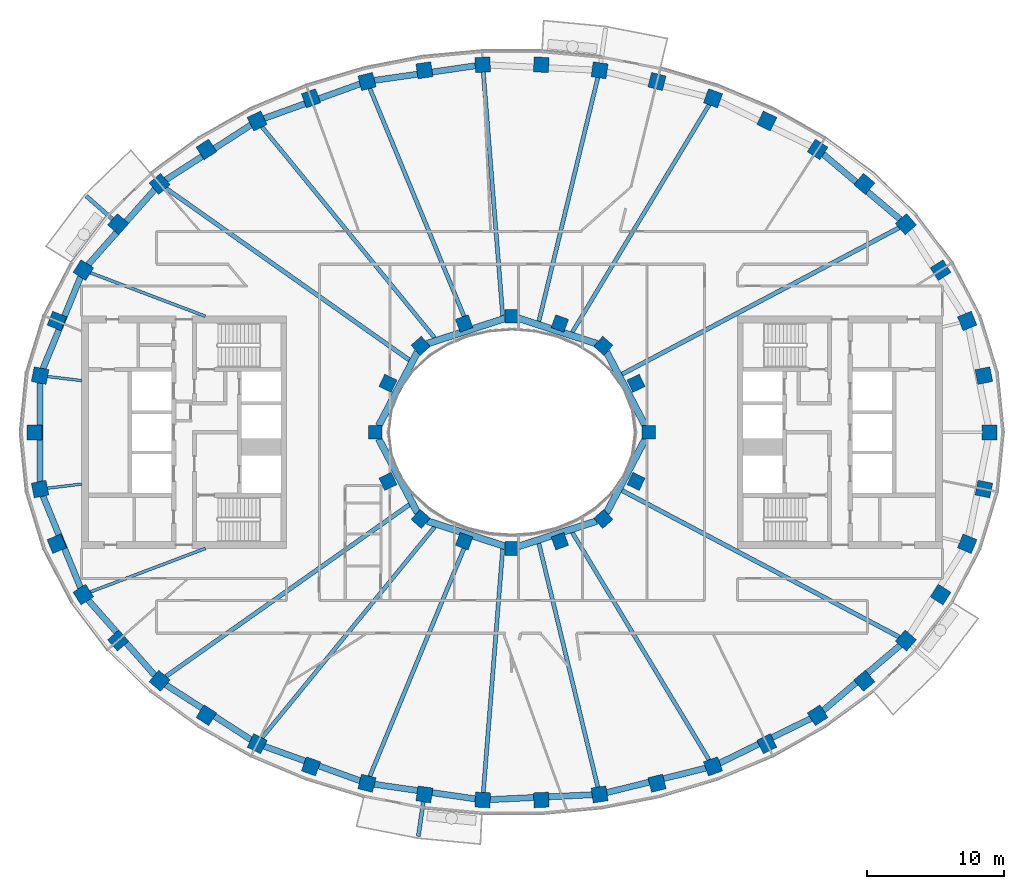
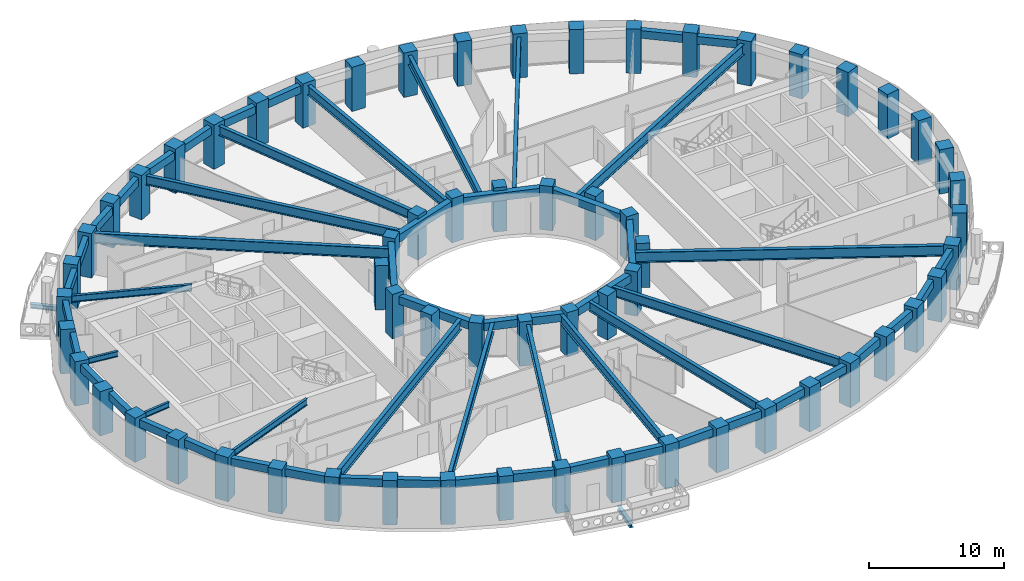
# One storey, part 1 of 16: 62 columns, 44 beams.
"""IFC4 building model written with IfcOpenShell, lengths in metres."""

from ifc_helpers import new_model, si_unit, direction, frame, origin, origin_2d, place, context, subcontext, project, spatial, rectangle, i_section, extrude, material, material_profile, profile_set, type_object, element, save


model = new_model("IFC4")

# Units and contexts
model_context = context("Model", 3, precision=1e-05, world=origin(), true_north=direction((0.0, 1.0)))
body_context = subcontext(model_context, "Body", "Model", "MODEL_VIEW")
ifc_project = project(units=[si_unit("LENGTHUNIT", "METRE"), si_unit("AREAUNIT", "SQUARE_METRE"), si_unit("VOLUMEUNIT", "CUBIC_METRE"), si_unit("PLANEANGLEUNIT", "RADIAN"), si_unit("MASSUNIT", "GRAM", prefix="KILO")], contexts=[model_context])

# Site, building, storey
site_placement = place(None, origin())
site = spatial("IfcSite", under=ifc_project, at=site_placement, CompositionType="ELEMENT")
building_placement = place(site_placement, origin())
building = spatial("IfcBuilding", under=site, at=building_placement, Name="Noorbagh Ring Tower", CompositionType="ELEMENT")
storey_placement = place(building_placement, frame((0.0, 0.0, 249.5)))
storey = spatial("IfcBuildingStorey", under=building, at=storey_placement, Name="L52", CompositionType="ELEMENT", Elevation=249.5)

# Columns
ifc_material_1 = material(Name="Concrete C60/75", Category="concrete")
ifc_material_profile_1 = material_profile(ifc_material_1, rectangle(XDim=1.10009765625, YDim=1.10009765625, at=origin_2d()), Name="RC1100x1100")
ifc_profile_set_1 = profile_set([ifc_material_profile_1], Name="Concrete C60/75")
column_type_1 = type_object("IfcColumnType", Name="STR-COL-RC1100x1100-C60-75", PredefinedType="COLUMN", material=ifc_profile_set_1)
for number, where, z_axis, x_axis, name in (
    (1, (34.944580078125, 0.0, 0.0), (0.0, 0.0, 1.0), (0.0, 1.0, 0.0), "L52/col/R1-01"),
    (2, (34.52685546875, 4.150634765625, 0.0), (0.0, 0.0, 1.0), (-0.19723040178, 0.9803571638, 0.0), "L52/col/R1-02"),
    (3, (33.30517578125, 8.1494140625, 0.0), (0.0, 0.0, 1.0), (-0.378989499959, 0.925400971969, 0.0), "L52/col/R1-03"),
    (4, (31.364990234375, 11.87109375, 0.0), (0.0, 0.0, 1.0), (-0.535190403059, 0.844731455833, 0.0), "L52/col/R1-04"),
    (5, (28.81884765625, 15.23046875, 0.0), (0.0, 0.0, 1.0), (-0.662635642662, 0.748941923699, 0.0), "L52/col/R1-05"),
    (6, (25.78271484375, 18.180419921875, 0.0), (0.0, 0.0, 1.0), (-0.763035199656, 0.646356932419, 0.0), "L52/col/R1-06"),
    (7, (22.362060546875, 20.699951171875, 0.0), (0.0, 0.0, 1.0), (-0.840247639643, 0.542202825586, 0.0), "L52/col/R1-07"),
    (8, (18.646240234375, 22.785400390625, 0.0), (0.0, 0.0, 1.0), (-0.898399080868, 0.439180021741, 0.0), "L52/col/R1-08"),
    (9, (14.70947265625, 24.44091796875, 0.0), (0.0, 0.0, 1.0), (-0.941024726094, 0.338337797003, 0.0), "L52/col/R1-09"),
    (10, (10.61328125, 25.673583984375, 0.0), (0.0, 0.0, 1.0), (-0.970829360981, 0.239771457553, 0.0), "L52/col/R1-10"),
    (11, (6.4091796875, 26.49072265625, 0.0), (0.0, 0.0, 1.0), (-0.989713114048, 0.143066249975, 0.0), "L52/col/R1-11"),
    (12, (2.14306640625, 26.89794921875, 0.0), (0.0, 0.0, 1.0), (-0.998868731212, 0.047552684538, 0.0), "L52/col/R1-12"),
    (13, (-2.14306640625, 26.89794921875, 0.0), (0.0, 0.0, 1.0), (-0.998868731212, -0.047552684538, 0.0), "L52/col/R1-13"),
    (14, (-6.4091796875, 26.49072265625, 0.0), (0.0, 0.0, 1.0), (-0.989713114048, -0.143066249975, 0.0), "L52/col/R1-14"),
    (15, (-10.61328125, 25.673583984375, 0.0), (0.0, 0.0, 1.0), (-0.970829360981, -0.239771457553, 0.0), "L52/col/R1-15"),
    (16, (-14.70947265625, 24.44091796875, 0.0), (0.0, 0.0, 1.0), (-0.941024726094, -0.338337797003, 0.0), "L52/col/R1-16"),
    (17, (-18.646240234375, 22.785400390625, 0.0), (0.0, 0.0, 1.0), (-0.898399080868, -0.439180021741, 0.0), "L52/col/R1-17"),
    (18, (-22.362060546875, 20.699951171875, 0.0), (0.0, 0.0, 1.0), (-0.840247639643, -0.542202825586, 0.0), "L52/col/R1-18"),
    (19, (-25.78271484375, 18.180419921875, 0.0), (0.0, 0.0, 1.0), (-0.763035199656, -0.646356932419, 0.0), "L52/col/R1-19"),
    (20, (-28.81884765625, 15.23046875, 0.0), (0.0, 0.0, 1.0), (-0.662635642662, -0.748941923699, 0.0), "L52/col/R1-20"),
    (21, (-31.364990234375, 11.87109375, 0.0), (0.0, 0.0, 1.0), (-0.535190403059, -0.844731455833, 0.0), "L52/col/R1-21"),
    (22, (-33.30517578125, 8.1494140625, 0.0), (0.0, 0.0, 1.0), (-0.378989499959, -0.925400971969, 0.0), "L52/col/R1-22"),
    (23, (-34.52685546875, 4.150634765625, 0.0), (0.0, 0.0, 1.0), (-0.19723040178, -0.9803571638, 0.0), "L52/col/R1-23"),
    (24, (-34.944580078125, 0.0, 0.0), (0.0, 0.0, 1.0), (0.0, -1.0, 0.0), "L52/col/R1-24"),
    (25, (-34.52685546875, -4.150634765625, 0.0), (0.0, 0.0, 1.0), (0.19723040178, -0.9803571638, 0.0), "L52/col/R1-25"),
    (26, (-33.30517578125, -8.1494140625, 0.0), (0.0, 0.0, 1.0), (0.378989499959, -0.925400971969, 0.0), "L52/col/R1-26"),
    (27, (-31.364990234375, -11.87109375, 0.0), (0.0, 0.0, 1.0), (0.535190403059, -0.844731455833, 0.0), "L52/col/R1-27"),
    (28, (-28.81884765625, -15.23046875, 0.0), (0.0, 0.0, 1.0), (0.662635642662, -0.748941923699, 0.0), "L52/col/R1-28"),
    (29, (-25.78271484375, -18.180419921875, 0.0), (0.0, 0.0, 1.0), (0.763035199656, -0.646356932419, 0.0), "L52/col/R1-29"),
    (30, (-22.362060546875, -20.699951171875, 0.0), (0.0, 0.0, 1.0), (0.840247639643, -0.542202825586, 0.0), "L52/col/R1-30"),
    (31, (-18.646240234375, -22.785400390625, 0.0), (0.0, 0.0, 1.0), (0.898399080868, -0.439180021741, 0.0), "L52/col/R1-31"),
    (32, (-14.70947265625, -24.44091796875, 0.0), (0.0, 0.0, 1.0), (0.941024726094, -0.338337797003, 0.0), "L52/col/R1-32"),
    (33, (-10.61328125, -25.673583984375, 0.0), (0.0, 0.0, 1.0), (0.970829360981, -0.239771457553, 0.0), "L52/col/R1-33"),
    (34, (-6.4091796875, -26.49072265625, 0.0), (0.0, 0.0, 1.0), (0.989713114048, -0.143066249975, 0.0), "L52/col/R1-34"),
    (35, (-2.14306640625, -26.89794921875, 0.0), (0.0, 0.0, 1.0), (0.998868731212, -0.047552684538, 0.0), "L52/col/R1-35"),
    (36, (2.14306640625, -26.89794921875, 0.0), (0.0, 0.0, 1.0), (0.998868731212, 0.047552684538, 0.0), "L52/col/R1-36"),
    (37, (6.4091796875, -26.49072265625, 0.0), (0.0, 0.0, 1.0), (0.989713114048, 0.143066249975, 0.0), "L52/col/R1-37"),
    (38, (10.61328125, -25.673583984375, 0.0), (0.0, 0.0, 1.0), (0.970829360981, 0.239771457553, 0.0), "L52/col/R1-38"),
    (39, (14.70947265625, -24.44091796875, 0.0), (0.0, 0.0, 1.0), (0.941024726094, 0.338337797003, 0.0), "L52/col/R1-39"),
    (40, (18.646240234375, -22.785400390625, 0.0), (0.0, 0.0, 1.0), (0.898399080868, 0.439180021741, 0.0), "L52/col/R1-40"),
    (41, (22.362060546875, -20.699951171875, 0.0), (0.0, 0.0, 1.0), (0.840247639643, 0.542202825586, 0.0), "L52/col/R1-41"),
    (42, (25.78271484375, -18.180419921875, 0.0), (0.0, 0.0, 1.0), (0.763035199656, 0.646356932419, 0.0), "L52/col/R1-42"),
    (43, (28.81884765625, -15.23046875, 0.0), (0.0, 0.0, 1.0), (0.662635642662, 0.748941923699, 0.0), "L52/col/R1-43"),
    (44, (31.364990234375, -11.87109375, 0.0), (0.0, 0.0, 1.0), (0.535190403059, 0.844731455833, 0.0), "L52/col/R1-44"),
    (45, (33.30517578125, -8.1494140625, 0.0), (0.0, 0.0, 1.0), (0.378989499959, 0.925400971969, 0.0), "L52/col/R1-45"),
    (46, (34.52685546875, -4.150634765625, 0.0), (0.0, 0.0, 1.0), (0.19723040178, 0.9803571638, 0.0), "L52/col/R1-46"),
):
    element("IfcColumn", number, at=place(storey_placement, frame(where, z_axis=z_axis, x_axis=x_axis)), inside=storey, type_object=column_type_1, Name=name, PredefinedType="COLUMN", context=body_context, shape_type="SweptSolid", body=[
        extrude(rectangle(XDim=1.10009765625, YDim=1.10009765625, at=origin_2d()), origin(), (0.0, 0.0, 1.0), 4.0),
    ])
ifc_material_2 = material(Name="Concrete C60/75", Category="concrete")
ifc_material_profile_2 = material_profile(ifc_material_2, rectangle(XDim=1.0, YDim=1.0, at=origin_2d()), Name="RC1000x1000")
ifc_profile_set_2 = profile_set([ifc_material_profile_2], Name="Concrete C60/75")
column_type_2 = type_object("IfcColumnType", Name="STR-ICOL-RC1000x1000-C60-75", PredefinedType="COLUMN", material=ifc_profile_set_2)
for number, where, z_axis, x_axis, name in (
    (47, (10.00830078125, 0.0, 0.0), (0.0, 0.0, 1.0), (0.0, 1.0, 0.0), "L52/col/IR2-W01"),
    (48, (9.07568359375, 3.58837890625, 0.0), (0.0, 0.0, 1.0), (-0.428666979171, 0.903462573087, 0.0), "L52/col/IR2-W03"),
    (49, (6.68212890625, 6.333740234375, 0.0), (0.0, 0.0, 1.0), (-0.75102249095, 0.660276622399, 0.0), "L52/col/IR2-W05"),
    (50, (3.5009765625, 7.967041015625, 0.0), (0.0, 0.0, 1.0), (-0.939019578916, 0.343863679984, 0.0), "L52/col/IR2-W07"),
    (51, (0.0, 8.5029296875, 0.0), (0.0, 0.0, 1.0), (-1.0, 0.0, 0.0), "L52/col/IR2-W09"),
    (52, (-3.5009765625, 7.967041015625, 0.0), (0.0, 0.0, 1.0), (-0.939019578916, -0.343863679984, 0.0), "L52/col/IR2-W11"),
    (53, (-6.68212890625, 6.333740234375, 0.0), (0.0, 0.0, 1.0), (-0.75102249095, -0.660276622399, 0.0), "L52/col/IR2-W13"),
    (54, (-9.07568359375, 3.58837890625, 0.0), (0.0, 0.0, 1.0), (-0.428666979171, -0.903462573087, 0.0), "L52/col/IR2-W15"),
    (55, (-10.00830078125, 0.0, 0.0), (0.0, 0.0, 1.0), (0.0, -1.0, 0.0), "L52/col/IR2-W17"),
    (56, (-9.07568359375, -3.58837890625, 0.0), (0.0, 0.0, 1.0), (0.428666979171, -0.903462573087, 0.0), "L52/col/IR2-W19"),
    (57, (-6.68212890625, -6.333740234375, 0.0), (0.0, 0.0, 1.0), (0.75102249095, -0.660276622399, 0.0), "L52/col/IR2-W21"),
    (58, (-3.5009765625, -7.967041015625, 0.0), (0.0, 0.0, 1.0), (0.939019578916, -0.343863679984, 0.0), "L52/col/IR2-W23"),
    (59, (0.0, -8.5029296875, 0.0), (0.0, 0.0, 1.0), (1.0, 0.0, 0.0), "L52/col/IR2-W25"),
    (60, (3.5009765625, -7.967041015625, 0.0), (0.0, 0.0, 1.0), (0.939019578916, 0.343863679984, 0.0), "L52/col/IR2-W27"),
    (61, (6.68212890625, -6.333740234375, 0.0), (0.0, 0.0, 1.0), (0.75102249095, 0.660276622399, 0.0), "L52/col/IR2-W29"),
    (62, (9.07568359375, -3.58837890625, 0.0), (0.0, 0.0, 1.0), (0.428666979171, 0.903462573087, 0.0), "L52/col/IR2-W31"),
):
    element("IfcColumn", number, at=place(storey_placement, frame(where, z_axis=z_axis, x_axis=x_axis)), inside=storey, type_object=column_type_2, Name=name, PredefinedType="COLUMN", context=body_context, shape_type="SweptSolid", body=[
        extrude(rectangle(XDim=1.0, YDim=1.0, at=origin_2d()), origin(), (0.0, 0.0, 1.0), 4.0),
    ])

# Beams
ifc_material_3 = material(Name="Steel S355", Category="steel")
ifc_material_profile_3 = material_profile(ifc_material_3, i_section(OverallWidth=0.300048828125, OverallDepth=0.39990234375, WebThickness=0.013427734375, FlangeThickness=0.02392578125, FilletRadius=0.027099609375, at=origin_2d()), Name="HEB400")
ifc_profile_set_3 = profile_set([ifc_material_profile_3], Name="Steel S355")
beam_type_1 = type_object("IfcBeamType", Name="STR-BALCONY-BRACKET-HEB400", PredefinedType="BEAM", material=ifc_profile_set_3)
beam_1_placement = place(storey_placement, frame((-29.2158203125, 15.58154296875, -0.5), z_axis=(-0.749036305026, 0.662528953144, 0.0), x_axis=(-0.662528953144, -0.749036305026, 0.0)))
element("IfcBeam", 63, at=beam_1_placement, inside=storey, type_object=beam_type_1, Name="Balcony bracket beam BN06", PredefinedType="BEAM", context=body_context, shape_type="SweptSolid", body=[
    extrude(i_section(OverallWidth=0.300048828125, OverallDepth=0.39990234375, WebThickness=0.013427734375, FlangeThickness=0.02392578125, FilletRadius=0.027099609375, at=origin_2d()), origin(), (0.0, 0.0, 1.0), 2.57958984375),
])
beam_2_placement = place(storey_placement, frame((-6.485107421875, -27.015380859375, -0.5), z_axis=(-0.143041289678, -0.989716721819, 0.0), x_axis=(0.989716721819, -0.143041289678, 0.0)))
element("IfcBeam", 64, at=beam_2_placement, inside=storey, type_object=beam_type_1, Name="Balcony bracket beam BS03", PredefinedType="BEAM", context=body_context, shape_type="SweptSolid", body=[
    extrude(i_section(OverallWidth=0.300048828125, OverallDepth=0.39990234375, WebThickness=0.013427734375, FlangeThickness=0.02392578125, FilletRadius=0.027099609375, at=origin_2d()), origin(), (0.0, 0.0, 1.0), 2.57373046875),
])
ifc_material_4 = material(Name="Steel S355", Category="steel")
ifc_material_profile_4 = material_profile(ifc_material_4, i_section(OverallWidth=0.199951171875, OverallDepth=0.5, WebThickness=0.01025390625, FlangeThickness=0.01611328125, FilletRadius=0.02099609375, at=origin_2d()), Name="IPE500")
ifc_profile_set_4 = profile_set([ifc_material_profile_4], Name="Steel S355")
beam_type_2 = type_object("IfcBeamType", Name="STR-RAD-IPE500", PredefinedType="BEAM", material=ifc_profile_set_4)
for number, where, z_axis, x_axis, name in (
    (65, (-33.998779296875, 4.087158203125, 3.449951171875), (0.992853137385, -0.119342564013, 0.0), (0.119342564013, 0.992853137385, 0.0), "L52/bm/RD23"),
    (66, (-33.998779296875, -4.087158203125, 3.449951171875), (0.992853137385, 0.119342564013, 0.0), (-0.119342564013, 0.992853137385, 0.0), "L52/bm/RD25"),
):
    element("IfcBeam", number, at=place(storey_placement, frame(where, z_axis=z_axis, x_axis=x_axis)), inside=storey, type_object=beam_type_2, Name=name, PredefinedType="BEAM", context=body_context, shape_type="SweptSolid", body=[
        extrude(i_section(OverallWidth=0.199951171875, OverallDepth=0.5, WebThickness=0.01025390625, FlangeThickness=0.01611328125, FilletRadius=0.02099609375, at=origin_2d()), origin(), (0.0, 0.0, 1.0), 2.53662109375),
    ])
ifc_material_5 = material(Name="Steel S355", Category="steel")
ifc_material_profile_5 = material_profile(ifc_material_5, i_section(OverallWidth=0.219970703125, OverallDepth=0.60009765625, WebThickness=0.011962890625, FlangeThickness=0.01904296875, FilletRadius=0.02392578125, at=origin_2d()), Name="IPE600")
ifc_profile_set_5 = profile_set([ifc_material_profile_5], Name="Steel S355")
beam_type_3 = type_object("IfcBeamType", Name="STR-RAD-IPE600", PredefinedType="BEAM", material=ifc_profile_set_5)
for number, where, z_axis, x_axis, name in (
    (67, (-30.858642578125, 11.67919921875, 3.39990234375), (0.935259323835, -0.353963270948, 0.0), (0.353963270948, 0.935259323835, 0.0), "L52/bm/RD21"),
    (68, (-30.858642578125, -11.67919921875, 3.39990234375), (0.935259323835, 0.353963270948, 0.0), (-0.353963270948, 0.935259323835, 0.0), "L52/bm/RD27"),
):
    element("IfcBeam", number, at=place(storey_placement, frame(where, z_axis=z_axis, x_axis=x_axis)), inside=storey, type_object=beam_type_3, Name=name, PredefinedType="BEAM", context=body_context, shape_type="SweptSolid", body=[
        extrude(i_section(OverallWidth=0.219970703125, OverallDepth=0.60009765625, WebThickness=0.011962890625, FlangeThickness=0.01904296875, FilletRadius=0.02392578125, at=origin_2d()), origin(), (0.0, 0.0, 1.0), 9.001708984375),
    ])
ifc_material_6 = material(Name="Steel S355", Category="steel")
ifc_material_profile_6 = material_profile(ifc_material_6, i_section(OverallWidth=0.300048828125, OverallDepth=0.85009765625, WebThickness=0.013916015625, FlangeThickness=0.028076171875, at=origin_2d()), Name="PG850x300x14x28")
ifc_profile_set_6 = profile_set([ifc_material_profile_6], Name="Steel S355")
beam_type_4 = type_object("IfcBeamType", Name="STR-RAD-PG850x300x14x28", PredefinedType="BEAM", material=ifc_profile_set_6)
beam_3_placement = place(storey_placement, frame((14.4306640625, 23.9775390625, 3.27490234375), z_axis=(-0.515652889643, -0.856797582514, 0.0), x_axis=(0.856797582514, -0.515652889643, 0.0)))
element("IfcBeam", 69, at=beam_3_placement, inside=storey, type_object=beam_type_4, Name="L52/bm/RD09", PredefinedType="BEAM", context=body_context, shape_type="SweptSolid", body=[
    extrude(i_section(OverallWidth=0.300048828125, OverallDepth=0.85009765625, WebThickness=0.013916015625, FlangeThickness=0.028076171875, at=origin_2d()), origin(), (0.0, 0.0, 1.0), 19.4462890625),
])
beam_4_placement = place(storey_placement, frame((6.283935546875, 25.973388671875, 3.27490234375), z_axis=(-0.235149899609, -0.971959116791, 0.0), x_axis=(0.971959116791, -0.235149899609, 0.0)))
element("IfcBeam", 70, at=beam_4_placement, inside=storey, type_object=beam_type_4, Name="L52/bm/RD11", PredefinedType="BEAM", context=body_context, shape_type="SweptSolid", body=[
    extrude(i_section(OverallWidth=0.300048828125, OverallDepth=0.85009765625, WebThickness=0.013916015625, FlangeThickness=0.028076171875, at=origin_2d()), origin(), (0.0, 0.0, 1.0), 18.380859375),
])
beam_5_placement = place(storey_placement, frame((-2.10107421875, 26.369384765625, 3.27490234375), z_axis=(0.079428656786, -0.996840553189, 0.0), x_axis=(0.996840553189, 0.079428656786, 0.0)))
element("IfcBeam", 71, at=beam_5_placement, inside=storey, type_object=beam_type_4, Name="L52/bm/RD13", PredefinedType="BEAM", context=body_context, shape_type="SweptSolid", body=[
    extrude(i_section(OverallWidth=0.300048828125, OverallDepth=0.85009765625, WebThickness=0.013916015625, FlangeThickness=0.028076171875, at=origin_2d()), origin(), (0.0, 0.0, 1.0), 17.9013671875),
])
beam_6_placement = place(storey_placement, frame((-10.408447265625, 25.177978515625, 3.27490234375), z_axis=(0.382042222752, -0.924144869614, 0.0), x_axis=(0.924144869614, 0.382042222752, 0.0)))
element("IfcBeam", 72, at=beam_6_placement, inside=storey, type_object=beam_type_4, Name="L52/bm/RD15", PredefinedType="BEAM", context=body_context, shape_type="SweptSolid", body=[
    extrude(i_section(OverallWidth=0.300048828125, OverallDepth=0.85009765625, WebThickness=0.013916015625, FlangeThickness=0.028076171875, at=origin_2d()), origin(), (0.0, 0.0, 1.0), 18.901611328125),
])
for number, where, z_axis, x_axis, name in (
    (73, (-18.301025390625, 22.363525390625, 3.27490234375), (0.633313689008, -0.773895194012, 0.0), (0.773895194012, 0.633313689008, 0.0), "L52/bm/RD17"),
    (74, (-18.301025390625, -22.363525390625, 3.27490234375), (0.633313689008, 0.773895194012, 0.0), (-0.773895194012, 0.633313689008, 0.0), "L52/bm/RD31"),
):
    element("IfcBeam", number, at=place(storey_placement, frame(where, z_axis=z_axis, x_axis=x_axis)), inside=storey, type_object=beam_type_4, Name=name, PredefinedType="BEAM", context=body_context, shape_type="SweptSolid", body=[
        extrude(i_section(OverallWidth=0.300048828125, OverallDepth=0.85009765625, WebThickness=0.013916015625, FlangeThickness=0.028076171875, at=origin_2d()), origin(), (0.0, 0.0, 1.0), 19.968017578125),
    ])
beam_7_placement = place(storey_placement, frame((-10.408447265625, -25.177978515625, 3.27490234375), z_axis=(0.382042222752, 0.924144869614, 0.0), x_axis=(-0.924144869614, 0.382042222752, 0.0)))
element("IfcBeam", 75, at=beam_7_placement, inside=storey, type_object=beam_type_4, Name="L52/bm/RD33", PredefinedType="BEAM", context=body_context, shape_type="SweptSolid", body=[
    extrude(i_section(OverallWidth=0.300048828125, OverallDepth=0.85009765625, WebThickness=0.013916015625, FlangeThickness=0.028076171875, at=origin_2d()), origin(), (0.0, 0.0, 1.0), 18.901611328125),
])
beam_8_placement = place(storey_placement, frame((-2.10107421875, -26.369384765625, 3.27490234375), z_axis=(0.079428656786, 0.996840553189, 0.0), x_axis=(-0.996840553189, 0.079428656786, 0.0)))
element("IfcBeam", 76, at=beam_8_placement, inside=storey, type_object=beam_type_4, Name="L52/bm/RD35", PredefinedType="BEAM", context=body_context, shape_type="SweptSolid", body=[
    extrude(i_section(OverallWidth=0.300048828125, OverallDepth=0.85009765625, WebThickness=0.013916015625, FlangeThickness=0.028076171875, at=origin_2d()), origin(), (0.0, 0.0, 1.0), 17.9013671875),
])
beam_9_placement = place(storey_placement, frame((6.283935546875, -25.973388671875, 3.27490234375), z_axis=(-0.235149899609, 0.971959116791, 0.0), x_axis=(-0.971959116791, -0.235149899609, 0.0)))
element("IfcBeam", 77, at=beam_9_placement, inside=storey, type_object=beam_type_4, Name="L52/bm/RD37", PredefinedType="BEAM", context=body_context, shape_type="SweptSolid", body=[
    extrude(i_section(OverallWidth=0.300048828125, OverallDepth=0.85009765625, WebThickness=0.013916015625, FlangeThickness=0.028076171875, at=origin_2d()), origin(), (0.0, 0.0, 1.0), 18.380859375),
])
beam_10_placement = place(storey_placement, frame((14.4306640625, -23.9775390625, 3.27490234375), z_axis=(-0.515652889643, 0.856797582514, 0.0), x_axis=(-0.856797582514, -0.515652889643, 0.0)))
element("IfcBeam", 78, at=beam_10_placement, inside=storey, type_object=beam_type_4, Name="L52/bm/RD39", PredefinedType="BEAM", context=body_context, shape_type="SweptSolid", body=[
    extrude(i_section(OverallWidth=0.300048828125, OverallDepth=0.85009765625, WebThickness=0.013916015625, FlangeThickness=0.028076171875, at=origin_2d()), origin(), (0.0, 0.0, 1.0), 19.4462890625),
])
ifc_material_7 = material(Name="Steel S355", Category="steel")
ifc_material_profile_7 = material_profile(ifc_material_7, i_section(OverallWidth=0.320068359375, OverallDepth=0.949951171875, WebThickness=0.01611328125, FlangeThickness=0.030029296875, at=origin_2d()), Name="PG950x320x16x30")
ifc_profile_set_7 = profile_set([ifc_material_profile_7], Name="Steel S355")
beam_type_5 = type_object("IfcBeamType", Name="STR-RAD-PG950x320x16x30", PredefinedType="BEAM", material=ifc_profile_set_7)
beam_11_placement = place(storey_placement, frame((28.336181640625, 14.975341796875, 3.22509765625), z_axis=(-0.884128075717, -0.467244631567, 0.0), x_axis=(0.467244631567, -0.884128075717, 0.0)))
element("IfcBeam", 79, at=beam_11_placement, inside=storey, type_object=beam_type_5, Name="L52/bm/RD05", PredefinedType="BEAM", context=body_context, shape_type="SweptSolid", body=[
    extrude(i_section(OverallWidth=0.320068359375, OverallDepth=0.949951171875, WebThickness=0.01611328125, FlangeThickness=0.030029296875, at=origin_2d()), origin(), (0.0, 0.0, 1.0), 22.959228515625),
])
for number, where, z_axis, x_axis, name in (
    (80, (-25.334716796875, 17.864501953125, 3.22509765625), (0.81725475763, -0.576276549176, 0.0), (0.576276549176, 0.81725475763, 0.0), "L52/bm/RD19"),
    (81, (-25.334716796875, -17.864501953125, 3.22509765625), (0.81725475763, 0.576276549176, 0.0), (-0.576276549176, 0.81725475763, 0.0), "L52/bm/RD29"),
):
    element("IfcBeam", number, at=place(storey_placement, frame(where, z_axis=z_axis, x_axis=x_axis)), inside=storey, type_object=beam_type_5, Name=name, PredefinedType="BEAM", context=body_context, shape_type="SweptSolid", body=[
        extrude(i_section(OverallWidth=0.320068359375, OverallDepth=0.949951171875, WebThickness=0.01611328125, FlangeThickness=0.030029296875, at=origin_2d()), origin(), (0.0, 0.0, 1.0), 21.830810546875),
    ])
beam_12_placement = place(storey_placement, frame((28.336181640625, -14.975341796875, 3.22509765625), z_axis=(-0.884128075717, 0.467244631567, 0.0), x_axis=(-0.467244631567, -0.884128075717, 0.0)))
element("IfcBeam", 82, at=beam_12_placement, inside=storey, type_object=beam_type_5, Name="L52/bm/RD43", PredefinedType="BEAM", context=body_context, shape_type="SweptSolid", body=[
    extrude(i_section(OverallWidth=0.320068359375, OverallDepth=0.949951171875, WebThickness=0.01611328125, FlangeThickness=0.030029296875, at=origin_2d()), origin(), (0.0, 0.0, 1.0), 22.959228515625),
])
ifc_material_8 = material(Name="Concrete C40/50", Category="concrete")
ifc_material_profile_8 = material_profile(ifc_material_8, rectangle(XDim=0.5, YDim=0.699951171875, at=origin_2d()), Name="RC500x700")
ifc_profile_set_8 = profile_set([ifc_material_profile_8], Name="Concrete C40/50")
beam_type_6 = type_object("IfcBeamType", Name="STR-RB-RC500x700-C40-50", PredefinedType="BEAM", material=ifc_profile_set_8)
beam_13_placement = place(storey_placement, frame((9.755126953125, 0.482177734375, 3.35009765625), z_axis=(-0.464928900722, 0.885348020427, 0.0), x_axis=(-0.885348020427, -0.464928900722, 0.0)))
element("IfcBeam", 83, at=beam_13_placement, inside=storey, type_object=beam_type_6, Name="L52/bm/RG01", PredefinedType="BEAM", context=body_context, shape_type="SweptSolid", body=[
    extrude(rectangle(XDim=0.5, YDim=0.699951171875, at=origin_2d()), origin(), (0.0, 0.0, 1.0), 6.093994140625),
])
for number, where, z_axis, x_axis, name in (
    (84, (6.183349609375, 6.495849609375, 3.35009765625), (-0.951154000484, 0.30871680771, 0.0), (-0.30871680771, -0.951154000484, 0.0), "L52/bm/RG03"),
    (85, (-0.48095703125, 8.3466796875, 3.35009765625), (-0.951154000484, -0.30871680771, 0.0), (0.30871680771, -0.951154000484, 0.0), "L52/bm/RG05"),
):
    element("IfcBeam", number, at=place(storey_placement, frame(where, z_axis=z_axis, x_axis=x_axis)), inside=storey, type_object=beam_type_6, Name=name, PredefinedType="BEAM", context=body_context, shape_type="SweptSolid", body=[
        extrude(rectangle(XDim=0.5, YDim=0.699951171875, at=origin_2d()), origin(), (0.0, 0.0, 1.0), 5.9951171875),
    ])
for number, where, z_axis, x_axis, name in (
    (86, (-6.921875, 5.87744140625, 3.35009765625), (-0.464928900722, -0.885348020427, 0.0), (0.885348020427, -0.464928900722, 0.0), "L52/bm/RG07"),
    (87, (-9.755126953125, -0.482177734375, 3.35009765625), (0.464928900722, -0.885348020427, 0.0), (0.885348020427, 0.464928900722, 0.0), "L52/bm/RG09"),
):
    element("IfcBeam", number, at=place(storey_placement, frame(where, z_axis=z_axis, x_axis=x_axis)), inside=storey, type_object=beam_type_6, Name=name, PredefinedType="BEAM", context=body_context, shape_type="SweptSolid", body=[
        extrude(rectangle(XDim=0.5, YDim=0.699951171875, at=origin_2d()), origin(), (0.0, 0.0, 1.0), 6.093994140625),
    ])
for number, where, z_axis, x_axis, name in (
    (88, (-6.183349609375, -6.495849609375, 3.35009765625), (0.951154000484, -0.30871680771, 0.0), (0.30871680771, 0.951154000484, 0.0), "L52/bm/RG11"),
    (89, (0.48095703125, -8.3466796875, 3.35009765625), (0.951154000484, 0.30871680771, 0.0), (-0.30871680771, 0.951154000484, 0.0), "L52/bm/RG13"),
):
    element("IfcBeam", number, at=place(storey_placement, frame(where, z_axis=z_axis, x_axis=x_axis)), inside=storey, type_object=beam_type_6, Name=name, PredefinedType="BEAM", context=body_context, shape_type="SweptSolid", body=[
        extrude(rectangle(XDim=0.5, YDim=0.699951171875, at=origin_2d()), origin(), (0.0, 0.0, 1.0), 5.9951171875),
    ])
beam_14_placement = place(storey_placement, frame((6.921875, -5.87744140625, 3.35009765625), z_axis=(0.464928900722, 0.885348020427, 0.0), x_axis=(-0.885348020427, 0.464928900722, 0.0)))
element("IfcBeam", 90, at=beam_14_placement, inside=storey, type_object=beam_type_6, Name="L52/bm/RG15", PredefinedType="BEAM", context=body_context, shape_type="SweptSolid", body=[
    extrude(rectangle(XDim=0.5, YDim=0.699951171875, at=origin_2d()), origin(), (0.0, 0.0, 1.0), 6.093994140625),
])
ifc_material_9 = material(Name="Concrete C40/50", Category="concrete")
ifc_material_profile_9 = material_profile(ifc_material_9, rectangle(XDim=0.449951171875, YDim=0.699951171875, at=origin_2d()), Name="RC450x700")
ifc_profile_set_9 = profile_set([ifc_material_profile_9], Name="Concrete C40/50")
beam_type_7 = type_object("IfcBeamType", Name="STR-SB-RC450x700-C40-50", PredefinedType="BEAM", material=ifc_profile_set_9)
beam_15_placement = place(storey_placement, frame((28.41015625, 15.57666015625, 3.35009765625), z_axis=(-0.763041647575, 0.646349320465, 0.0), x_axis=(-0.646349320465, -0.763041647575, 0.0)))
element("IfcBeam", 91, at=beam_15_placement, inside=storey, type_object=beam_type_7, Name="L52/bm/SP05", PredefinedType="BEAM", context=body_context, shape_type="SweptSolid", body=[
    extrude(rectangle(XDim=0.449951171875, YDim=0.699951171875, at=origin_2d()), origin(), (0.0, 0.0, 1.0), 7.3916015625),
])
beam_16_placement = place(storey_placement, frame((-2.670166015625, 26.82177734375, 3.35009765625), z_axis=(-0.989712214626, -0.143072471915, 0.0), x_axis=(0.143072471915, -0.989712214626, 0.0)))
element("IfcBeam", 92, at=beam_16_placement, inside=storey, type_object=beam_type_7, Name="L52/bm/SP13", PredefinedType="BEAM", context=body_context, shape_type="SweptSolid", body=[
    extrude(rectangle(XDim=0.449951171875, YDim=0.699951171875, at=origin_2d()), origin(), (0.0, 0.0, 1.0), 7.492919921875),
])
beam_17_placement = place(storey_placement, frame((-11.11474609375, 25.493408203125, 3.35009765625), z_axis=(-0.941021072028, -0.338347959947, 0.0), x_axis=(0.338347959947, -0.941021072028, 0.0)))
element("IfcBeam", 93, at=beam_17_placement, inside=storey, type_object=beam_type_7, Name="L52/bm/SP15", PredefinedType="BEAM", context=body_context, shape_type="SweptSolid", body=[
    extrude(rectangle(XDim=0.449951171875, YDim=0.699951171875, at=origin_2d()), origin(), (0.0, 0.0, 1.0), 7.470458984375),
])
beam_18_placement = place(storey_placement, frame((-19.094970703125, 22.495849609375, 3.35009765625), z_axis=(-0.840248806946, -0.542201016622, 0.0), x_axis=(0.542201016622, -0.840248806946, 0.0)))
element("IfcBeam", 94, at=beam_18_placement, inside=storey, type_object=beam_type_7, Name="L52/bm/SP17", PredefinedType="BEAM", context=body_context, shape_type="SweptSolid", body=[
    extrude(rectangle(XDim=0.449951171875, YDim=0.699951171875, at=origin_2d()), origin(), (0.0, 0.0, 1.0), 7.424560546875),
])
beam_19_placement = place(storey_placement, frame((-26.1376953125, 17.779052734375, 3.35009765625), z_axis=(-0.662632637862, -0.748944582222, 0.0), x_axis=(0.748944582222, -0.662632637862, 0.0)))
element("IfcBeam", 95, at=beam_19_placement, inside=storey, type_object=beam_type_7, Name="L52/bm/SP19", PredefinedType="BEAM", context=body_context, shape_type="SweptSolid", body=[
    extrude(rectangle(XDim=0.449951171875, YDim=0.699951171875, at=origin_2d()), origin(), (0.0, 0.0, 1.0), 7.3515625),
])
beam_20_placement = place(storey_placement, frame((-31.569091796875, 11.37255859375, 3.35009765625), z_axis=(-0.378980930271, -0.92540448156, 0.0), x_axis=(0.92540448156, -0.378980930271, 0.0)))
element("IfcBeam", 96, at=beam_20_placement, inside=storey, type_object=beam_type_7, Name="L52/bm/SP21", PredefinedType="BEAM", context=body_context, shape_type="SweptSolid", body=[
    extrude(rectangle(XDim=0.449951171875, YDim=0.699951171875, at=origin_2d()), origin(), (0.0, 0.0, 1.0), 7.263916015625),
])
beam_21_placement = place(storey_placement, frame((-34.52685546875, 3.609619140625, 3.35009765625), z_axis=(0.0, -1.0, 0.0), x_axis=(1.0, 0.0, 0.0)))
element("IfcBeam", 97, at=beam_21_placement, inside=storey, type_object=beam_type_7, Name="L52/bm/SP23", PredefinedType="BEAM", context=body_context, shape_type="SweptSolid", body=[
    extrude(rectangle(XDim=0.449951171875, YDim=0.699951171875, at=origin_2d()), origin(), (0.0, 0.0, 1.0), 7.21923828125),
])
beam_22_placement = place(storey_placement, frame((-34.322021484375, -4.650390625, 3.35009765625), z_axis=(0.378980930271, -0.92540448156, 0.0), x_axis=(0.92540448156, 0.378980930271, 0.0)))
element("IfcBeam", 98, at=beam_22_placement, inside=storey, type_object=beam_type_7, Name="L52/bm/SP25", PredefinedType="BEAM", context=body_context, shape_type="SweptSolid", body=[
    extrude(rectangle(XDim=0.449951171875, YDim=0.699951171875, at=origin_2d()), origin(), (0.0, 0.0, 1.0), 7.263916015625),
])
beam_23_placement = place(storey_placement, frame((-31.009033203125, -12.273193359375, 3.35009765625), z_axis=(0.662632637862, -0.748944582222, 0.0), x_axis=(0.748944582222, 0.662632637862, 0.0)))
element("IfcBeam", 99, at=beam_23_placement, inside=storey, type_object=beam_type_7, Name="L52/bm/SP27", PredefinedType="BEAM", context=body_context, shape_type="SweptSolid", body=[
    extrude(rectangle(XDim=0.449951171875, YDim=0.699951171875, at=origin_2d()), origin(), (0.0, 0.0, 1.0), 7.3515625),
])
beam_24_placement = place(storey_placement, frame((-25.33349609375, -18.47021484375, 3.35009765625), z_axis=(0.840248806946, -0.542201016622, 0.0), x_axis=(0.542201016622, 0.840248806946, 0.0)))
element("IfcBeam", 100, at=beam_24_placement, inside=storey, type_object=beam_type_7, Name="L52/bm/SP29", PredefinedType="BEAM", context=body_context, shape_type="SweptSolid", body=[
    extrude(rectangle(XDim=0.449951171875, YDim=0.699951171875, at=origin_2d()), origin(), (0.0, 0.0, 1.0), 7.424560546875),
])
beam_25_placement = place(storey_placement, frame((-18.14453125, -22.9658203125, 3.35009765625), z_axis=(0.941021072028, -0.338347959947, 0.0), x_axis=(0.338347959947, 0.941021072028, 0.0)))
element("IfcBeam", 101, at=beam_25_placement, inside=storey, type_object=beam_type_7, Name="L52/bm/SP31", PredefinedType="BEAM", context=body_context, shape_type="SweptSolid", body=[
    extrude(rectangle(XDim=0.449951171875, YDim=0.699951171875, at=origin_2d()), origin(), (0.0, 0.0, 1.0), 7.470458984375),
])
beam_26_placement = place(storey_placement, frame((-10.0859375, -25.749755859375, 3.35009765625), z_axis=(0.989712214626, -0.143072471915, 0.0), x_axis=(0.143072471915, 0.989712214626, 0.0)))
element("IfcBeam", 102, at=beam_26_placement, inside=storey, type_object=beam_type_7, Name="L52/bm/SP33", PredefinedType="BEAM", context=body_context, shape_type="SweptSolid", body=[
    extrude(rectangle(XDim=0.449951171875, YDim=0.699951171875, at=origin_2d()), origin(), (0.0, 0.0, 1.0), 7.492919921875),
])
beam_27_placement = place(storey_placement, frame((-1.611328125, -26.87255859375, 3.35009765625), z_axis=(0.998869095319, 0.047545035672, 0.0), x_axis=(-0.047545035672, 0.998869095319, 0.0)))
element("IfcBeam", 103, at=beam_27_placement, inside=storey, type_object=beam_type_7, Name="L52/bm/SP35", PredefinedType="BEAM", context=body_context, shape_type="SweptSolid", body=[
    extrude(rectangle(XDim=0.449951171875, YDim=0.699951171875, at=origin_2d()), origin(), (0.0, 0.0, 1.0), 7.4970703125),
])
beam_28_placement = place(storey_placement, frame((6.926513671875, -26.363037109375, 3.35009765625), z_axis=(0.970829382675, 0.239771369713, 0.0), x_axis=(-0.239771369713, 0.970829382675, 0.0)))
element("IfcBeam", 104, at=beam_28_placement, inside=storey, type_object=beam_type_7, Name="L52/bm/SP37", PredefinedType="BEAM", context=body_context, shape_type="SweptSolid", body=[
    extrude(rectangle(XDim=0.449951171875, YDim=0.699951171875, at=origin_2d()), origin(), (0.0, 0.0, 1.0), 7.48388671875),
])
beam_29_placement = place(storey_placement, frame((15.188720703125, -24.20654296875, 3.35009765625), z_axis=(0.898395566206, 0.43918721136, 0.0), x_axis=(-0.43918721136, 0.898395566206, 0.0)))
element("IfcBeam", 105, at=beam_29_placement, inside=storey, type_object=beam_type_7, Name="L52/bm/SP39", PredefinedType="BEAM", context=body_context, shape_type="SweptSolid", body=[
    extrude(rectangle(XDim=0.449951171875, YDim=0.699951171875, at=origin_2d()), origin(), (0.0, 0.0, 1.0), 7.45068359375),
])
beam_30_placement = place(storey_placement, frame((22.77001953125, -20.354248046875, 3.35009765625), z_axis=(0.763041647575, 0.646349320465, 0.0), x_axis=(-0.646349320465, 0.763041647575, 0.0)))
element("IfcBeam", 106, at=beam_30_placement, inside=storey, type_object=beam_type_7, Name="L52/bm/SP41", PredefinedType="BEAM", context=body_context, shape_type="SweptSolid", body=[
    extrude(rectangle(XDim=0.449951171875, YDim=0.699951171875, at=origin_2d()), origin(), (0.0, 0.0, 1.0), 7.3916015625),
])

save(model, "model.ifc")
